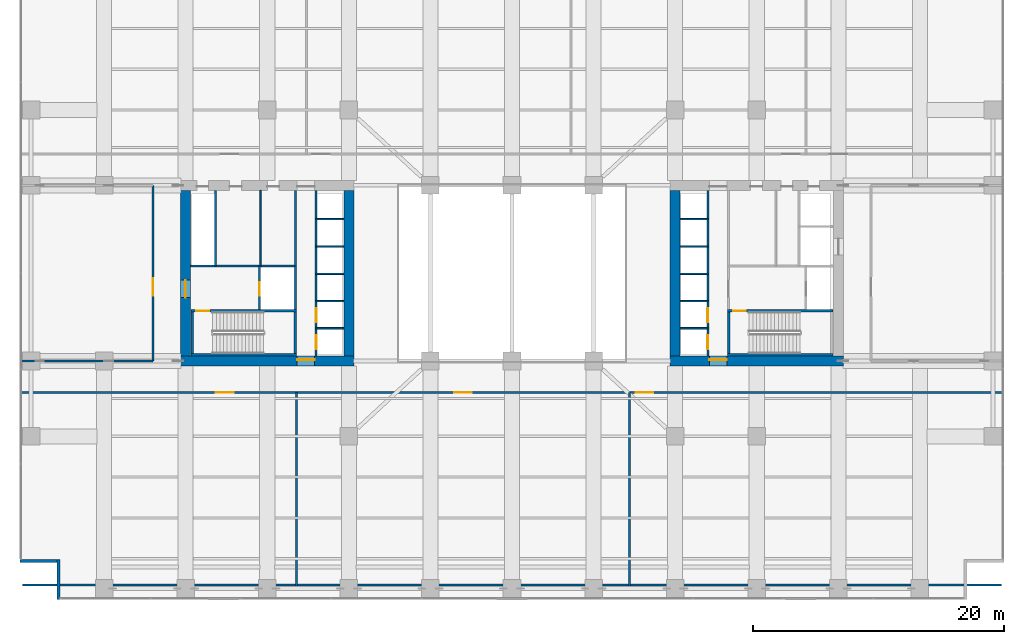
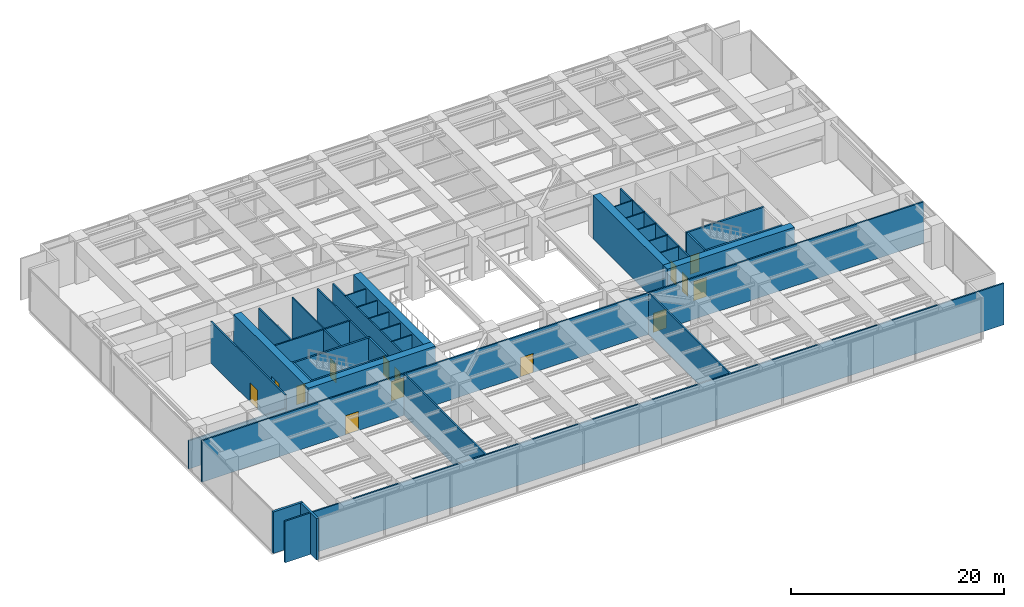
# One storey, part 25 of 31: 40 walls, 14 doors, 14 openings.
"""IFC4 building model written with IfcOpenShell, lengths in metres."""

from ifc_helpers import new_model, si_unit, direction, frame, frame_2d, origin, place, context, subcontext, project, spatial, rectangle, extrude, material, layer, layer_set, type_object, element, fill, save


model = new_model("IFC4")

# Units and contexts
model_context = context("Model", 3, precision=1e-05, world=origin(), true_north=direction((0.0, 1.0)))
body_context = subcontext(model_context, "Body", "Model", "MODEL_VIEW")
ifc_project = project(units=[si_unit("LENGTHUNIT", "METRE"), si_unit("AREAUNIT", "SQUARE_METRE"), si_unit("VOLUMEUNIT", "CUBIC_METRE"), si_unit("PLANEANGLEUNIT", "RADIAN"), si_unit("MASSUNIT", "GRAM", prefix="KILO")], contexts=[model_context])

# Site, building, storey
site_placement = place(None, origin())
site = spatial("IfcSite", under=ifc_project, at=site_placement, CompositionType="ELEMENT")
building_placement = place(site_placement, origin())
building = spatial("IfcBuilding", under=site, at=building_placement, Name="Putna Gate Headquarters", CompositionType="ELEMENT")
storey_placement = place(building_placement, frame((0.0, 0.0, 81.0)))
storey = spatial("IfcBuildingStorey", under=building, at=storey_placement, Name="L19", CompositionType="ELEMENT", Elevation=81.0)

# Wall, opening, door
ifc_material_1 = material(Name="Concrete C60/75", Category="concrete")
ifc_layer_1 = layer(ifc_material_1, 0.800048828125)
ifc_layer_set_1 = layer_set([ifc_layer_1], Name="Concrete C60/75")
wall_type_1 = type_object("IfcWallType", Name="WALL-CORE-800", PredefinedType="SHEAR", material=ifc_layer_set_1)
wall_1_placement = place(storey_placement, frame((12.60009765625, 19.0, 0.0), z_axis=(0.0, 0.0, 1.0), x_axis=(1.0, 0.0, 0.0)))
wall_1 = element("IfcWall", 1, at=wall_1_placement, inside=storey, type_object=wall_type_1, Name="L19 WC Split Core Shear Wall S", PredefinedType="SHEAR", context=body_context, shape_type="SweptSolid", body=[
    extrude(rectangle(XDim=13.7998046875, YDim=0.800048828125, at=frame_2d((6.89990234375, 0.0))), origin(), (0.0, 0.0, 1.0), 5.0),
])
opening_1_placement = place(wall_1_placement, frame((9.280029296875, 0.0, 0.0)))
opening_1 = element("IfcOpeningElement", 2, at=opening_1_placement, cuts=wall_1, Name="Opening FDD-140", PredefinedType="OPENING", context=body_context, shape_type="SweptSolid", body=[
    extrude(rectangle(XDim=1.39990234375, YDim=2.199951171875, at=frame_2d((0.699951171875, 1.10009765625))), frame((0.0, 0.409912109375, 0.0), z_axis=(0.0, -1.0, 0.0), x_axis=(1.0, 0.0, 0.0)), (0.0, 0.0, 1.0), 0.820068359375),
])
ifc_material_2 = material(Name="Double steel fire door", Category="steel")
door_type_1 = type_object("IfcDoorType", Name="DOOR-FIRE-DBL-1400", OperationType="DOUBLE_DOOR_SINGLE_SWING", PredefinedType="DOOR", material=ifc_material_2)
door_1_placement = place(opening_1_placement, origin())
door_1 = element("IfcDoor", 3, at=door_1_placement, inside=storey, type_object=door_type_1, Name="L19 West Lift Lobby South Door", OperationType="DOUBLE_DOOR_SINGLE_SWING", OverallHeight=2.199951171875, OverallWidth=1.39990234375, PredefinedType="DOOR", context=body_context, shape_type="SweptSolid", body=[
    extrude(rectangle(XDim=1.39990234375, YDim=2.199951171875, at=frame_2d((0.699951171875, 1.10009765625))), frame((0.0, 0.125, 0.0), z_axis=(0.0, -1.0, 0.0), x_axis=(1.0, 0.0, 0.0)), (0.0, 0.0, 1.0), 0.050048828125),
])
fill(opening_1, door_1)

wall_2_placement = place(storey_placement, frame((13.0, 19.39990234375, 0.0), z_axis=(0.0, 0.0, 1.0), x_axis=(0.0, 1.0, 0.0)))
wall_2 = element("IfcWall", 4, at=wall_2_placement, inside=storey, type_object=wall_type_1, Name="L19 WC Split Core Shear Wall W", PredefinedType="SHEAR", context=body_context, shape_type="SweptSolid", body=[
    extrude(rectangle(XDim=13.2001953125, YDim=0.800048828125, at=frame_2d((6.60009765625, 0.0))), origin(), (0.0, 0.0, 1.0), 5.0),
])
opening_2_placement = place(wall_2_placement, frame((4.64990234375, 0.0, 0.0)))
opening_2 = element("IfcOpeningElement", 5, at=opening_2_placement, cuts=wall_2, Name="Opening FDD-140", PredefinedType="OPENING", context=body_context, shape_type="SweptSolid", body=[
    extrude(rectangle(XDim=1.39990234375, YDim=2.199951171875, at=frame_2d((0.699951171875, 1.10009765625))), frame((0.0, 0.409912109375, 0.0), z_axis=(0.0, -1.0, 0.0), x_axis=(1.0, 0.0, 0.0)), (0.0, 0.0, 1.0), 0.820068359375),
])
door_2_placement = place(opening_2_placement, origin())
door_2 = element("IfcDoor", 6, at=door_2_placement, inside=storey, type_object=door_type_1, Name="L19 West Firefighting Lobby Door", OperationType="DOUBLE_DOOR_SINGLE_SWING", OverallHeight=2.199951171875, OverallWidth=1.39990234375, PredefinedType="DOOR", context=body_context, shape_type="SweptSolid", body=[
    extrude(rectangle(XDim=1.39990234375, YDim=2.199951171875, at=frame_2d((0.699951171875, 1.10009765625))), frame((0.0, 0.02490234375, 0.0), z_axis=(0.0, -1.0, 0.0), x_axis=(1.0, 0.0, 0.0)), (0.0, 0.0, 1.0), 0.050048828125),
])
fill(opening_2, door_2)

# Wall
wall_3_placement = place(storey_placement, frame((26.0, 19.39990234375, 0.0), z_axis=(0.0, 0.0, 1.0), x_axis=(0.0, 1.0, 0.0)))
element("IfcWall", 7, at=wall_3_placement, inside=storey, type_object=wall_type_1, Name="L19 WC Split Core Shear Wall E", PredefinedType="SHEAR", context=body_context, shape_type="SweptSolid", body=[
    extrude(rectangle(XDim=13.2001953125, YDim=0.800048828125, at=frame_2d((6.60009765625, 0.0))), origin(), (0.0, 0.0, 1.0), 5.0),
])

# Wall, opening, door
wall_4_placement = place(storey_placement, frame((51.60009765625, 19.0, 0.0), z_axis=(0.0, 0.0, 1.0), x_axis=(1.0, 0.0, 0.0)))
wall_4 = element("IfcWall", 8, at=wall_4_placement, inside=storey, type_object=wall_type_1, Name="L19 EC Split Core Shear Wall S", PredefinedType="SHEAR", context=body_context, shape_type="SweptSolid", body=[
    extrude(rectangle(XDim=13.7998046875, YDim=0.800048828125, at=frame_2d((6.89990234375, 0.0))), origin(), (0.0, 0.0, 1.0), 5.0),
])
opening_3_placement = place(wall_4_placement, frame((3.1201171875, 0.0, 0.0)))
opening_3 = element("IfcOpeningElement", 9, at=opening_3_placement, cuts=wall_4, Name="Opening FDD-140", PredefinedType="OPENING", context=body_context, shape_type="SweptSolid", body=[
    extrude(rectangle(XDim=1.39990234375, YDim=2.199951171875, at=frame_2d((0.699951171875, 1.10009765625))), frame((0.0, 0.409912109375, 0.0), z_axis=(0.0, -1.0, 0.0), x_axis=(1.0, 0.0, 0.0)), (0.0, 0.0, 1.0), 0.820068359375),
])
door_3_placement = place(opening_3_placement, origin())
door_3 = element("IfcDoor", 10, at=door_3_placement, inside=storey, type_object=door_type_1, Name="L19 East Lift Lobby South Door", OperationType="DOUBLE_DOOR_SINGLE_SWING", OverallHeight=2.199951171875, OverallWidth=1.39990234375, PredefinedType="DOOR", context=body_context, shape_type="SweptSolid", body=[
    extrude(rectangle(XDim=1.39990234375, YDim=2.199951171875, at=frame_2d((0.699951171875, 1.10009765625))), frame((0.0, 0.125, 0.0), z_axis=(0.0, -1.0, 0.0), x_axis=(1.0, 0.0, 0.0)), (0.0, 0.0, 1.0), 0.050048828125),
])
fill(opening_3, door_3)

# Walls
wall_5_placement = place(storey_placement, frame((52.0, 19.39990234375, 0.0), z_axis=(0.0, 0.0, 1.0), x_axis=(0.0, 1.0, 0.0)))
element("IfcWall", 11, at=wall_5_placement, inside=storey, type_object=wall_type_1, Name="L19 EC Split Core Shear Wall W", PredefinedType="SHEAR", context=body_context, shape_type="SweptSolid", body=[
    extrude(rectangle(XDim=13.2001953125, YDim=0.800048828125, at=frame_2d((6.60009765625, 0.0))), origin(), (0.0, 0.0, 1.0), 5.0),
])
ifc_material_3 = material(Name="Precast concrete C40/50", Category="concrete")
ifc_layer_2 = layer(ifc_material_3, 0.239990234375)
ifc_layer_set_2 = layer_set([ifc_layer_2], Name="Precast concrete C40/50")
wall_type_2 = type_object("IfcWallType", Name="WALL-EXT-TERR-240", PredefinedType="STANDARD", material=ifc_layer_set_2)
for number, where, z_axis, x_axis, name in (
    (12, (2.8798828125, 0.0, 0.0), (0.0, 0.0, 1.0), (0.0, 1.0, 0.0), "L19 Corner Notch Return Wall SW-V"),
    (13, (3.0, 3.080078125, 0.0), (0.0, 0.0, 1.0), (-1.0, 0.0, 0.0), "L19 Corner Notch Return Wall SW-H"),
):
    element("IfcWall", number, at=place(storey_placement, frame(where, z_axis=z_axis, x_axis=x_axis)), inside=storey, type_object=wall_type_2, Name=name, PredefinedType="STANDARD", context=body_context, shape_type="SweptSolid", body=[
        extrude(rectangle(XDim=3.199951171875, YDim=0.239990234375, at=frame_2d((1.60009765625, 0.0))), origin(), (0.0, 0.0, 1.0), 4.764892578125),
    ])
ifc_material_4 = material(Name="Fire-rated shaftwall gypsum board on metal stud")
ifc_layer_3 = layer(ifc_material_4, 0.1201171875)
ifc_layer_set_3 = layer_set([ifc_layer_3], Name="Fire-rated shaftwall gypsum board on metal stud")
wall_type_3 = type_object("IfcWallType", Name="WALL-PART-120-EI120", PredefinedType="PARTITIONING", material=ifc_layer_set_3)
for number, where, z_axis, x_axis, name in (
    (14, (23.39990234375, 21.610107421875, 0.0), (0.0, 0.0, 1.0), (1.0, 0.0, 0.0), "L19 Interior Wall CWINT-L19-WC-LF01-DIV"),
    (15, (23.39990234375, 23.780029296875, 0.0), (0.0, 0.0, 1.0), (1.0, 0.0, 0.0), "L19 Interior Wall CWINT-L19-WC-LF02-DIV"),
    (16, (23.39990234375, 25.949951171875, 0.0), (0.0, 0.0, 1.0), (1.0, 0.0, 0.0), "L19 Interior Wall CWINT-L19-WC-LF05-DIV"),
    (17, (23.39990234375, 28.1201171875, 0.0), (0.0, 0.0, 1.0), (1.0, 0.0, 0.0), "L19 Interior Wall CWINT-L19-WC-LF06-DIV"),
    (18, (23.39990234375, 30.31005859375, 0.0), (0.0, 0.0, 1.0), (1.0, 0.0, 0.0), "L19 Interior Wall CWINT-L19-WC-LF09-DIV"),
    (19, (52.39990234375, 21.610107421875, 0.0), (0.0, 0.0, 1.0), (1.0, 0.0, 0.0), "L19 Interior Wall CWINT-L19-EC-LF03-DIV"),
    (20, (52.39990234375, 23.780029296875, 0.0), (0.0, 0.0, 1.0), (1.0, 0.0, 0.0), "L19 Interior Wall CWINT-L19-EC-LF04-DIV"),
    (21, (52.39990234375, 25.949951171875, 0.0), (0.0, 0.0, 1.0), (1.0, 0.0, 0.0), "L19 Interior Wall CWINT-L19-EC-LF07-DIV"),
    (22, (52.39990234375, 28.1201171875, 0.0), (0.0, 0.0, 1.0), (1.0, 0.0, 0.0), "L19 Interior Wall CWINT-L19-EC-LF08-DIV"),
    (23, (52.39990234375, 30.31005859375, 0.0), (0.0, 0.0, 1.0), (1.0, 0.0, 0.0), "L19 Interior Wall CWINT-L19-EC-LF11-DIV"),
):
    element("IfcWall", number, at=place(storey_placement, frame(where, z_axis=z_axis, x_axis=x_axis)), inside=storey, type_object=wall_type_3, Name=name, PredefinedType="PARTITIONING", context=body_context, shape_type="SweptSolid", body=[
        extrude(rectangle(XDim=2.2001953125, YDim=0.1201171875, at=frame_2d((1.10009765625, 0.0))), origin(), (0.0, 0.0, 1.0), 4.764892578125),
    ])
ifc_material_5 = material(Name="Fire-rated gypsum board on metal stud")
ifc_layer_4 = layer(ifc_material_5, 0.1201171875)
ifc_layer_set_4 = layer_set([ifc_layer_4], Name="Fire-rated gypsum board on metal stud")
wall_type_4 = type_object("IfcWallType", Name="WALL-PART-120-RATED", PredefinedType="PARTITIONING", material=ifc_layer_set_4)
wall_6_placement = place(storey_placement, frame((18.969970703125, 26.56005859375, 0.0), z_axis=(0.0, 0.0, 1.0), x_axis=(0.0, 1.0, 0.0)))
element("IfcWall", 24, at=wall_6_placement, inside=storey, type_object=wall_type_4, Name="L19 Interior Wall CWINT-L19-WC-K0-DIV", PredefinedType="PARTITIONING", context=body_context, shape_type="SweptSolid", body=[
    extrude(rectangle(XDim=6.0400390625, YDim=0.1201171875, at=frame_2d((3.02001953125, 0.0))), origin(), (0.0, 0.0, 1.0), 4.764892578125),
])
ifc_material_6 = material(Name="Concrete C40/50", Category="concrete")
ifc_layer_5 = layer(ifc_material_6, 0.159912109375)
ifc_layer_set_5 = layer_set([ifc_layer_5], Name="Concrete C40/50")
wall_type_5 = type_object("IfcWallType", Name="WALL-SHAFT-160", PredefinedType="STANDARD", material=ifc_layer_set_5)
wall_7_placement = place(storey_placement, frame((21.739990234375, 23.090087890625, 0.0), z_axis=(0.0, 0.0, 1.0), x_axis=(0.0, 1.0, 0.0)))
element("IfcWall", 25, at=wall_7_placement, inside=storey, type_object=wall_type_5, Name="L19 Interior Wall CWINT-L19-WC-FFL-E", PredefinedType="STANDARD", context=body_context, shape_type="SweptSolid", body=[
    extrude(rectangle(XDim=3.469970703125, YDim=0.159912109375, at=frame_2d((1.73486328125, 0.0))), origin(), (0.0, 0.0, 1.0), 4.764892578125),
])

# Wall, opening, door
wall_8_placement = place(storey_placement, frame((18.8798828125, 23.090087890625, 0.0), z_axis=(0.0, 0.0, 1.0), x_axis=(0.0, 1.0, 0.0)))
wall_8 = element("IfcWall", 26, at=wall_8_placement, inside=storey, type_object=wall_type_5, Name="L19 Interior Wall CWINT-L19-WC-LF13-W", PredefinedType="STANDARD", context=body_context, shape_type="SweptSolid", body=[
    extrude(rectangle(XDim=3.469970703125, YDim=0.159912109375, at=frame_2d((1.73486328125, 0.0))), origin(), (0.0, 0.0, 1.0), 4.764892578125),
])
opening_4_placement = place(wall_8_placement, frame((1.10009765625, 0.0, 0.0)))
opening_4 = element("IfcOpeningElement", 27, at=opening_4_placement, cuts=wall_8, Name="Opening LD-1", PredefinedType="OPENING", context=body_context, shape_type="SweptSolid", body=[
    extrude(rectangle(XDim=1.10009765625, YDim=2.199951171875, at=frame_2d((0.550048828125, 1.10009765625))), frame((0.0, 0.08984375, 0.0), z_axis=(0.0, -1.0, 0.0), x_axis=(1.0, 0.0, 0.0)), (0.0, 0.0, 1.0), 0.179931640625),
])
ifc_material_7 = material(Name="Brushed bronze stainless lift landing door")
door_type_2 = type_object("IfcDoorType", Name="DOOR-LIFT-1100", OperationType="DOUBLE_DOOR_SLIDING", PredefinedType="DOOR", material=ifc_material_7)
door_4_placement = place(opening_4_placement, origin())
door_4 = element("IfcDoor", 28, at=door_4_placement, inside=storey, type_object=door_type_2, Name="L19 Lift Landing Door LD-13", OperationType="DOUBLE_DOOR_SLIDING", OverallHeight=2.199951171875, OverallWidth=1.10009765625, PredefinedType="DOOR", context=body_context, shape_type="SweptSolid", body=[
    extrude(rectangle(XDim=1.10009765625, YDim=2.199951171875, at=frame_2d((0.550048828125, 1.10009765625))), frame((0.0, 0.02490234375, 0.0), z_axis=(0.0, -1.0, 0.0), x_axis=(1.0, 0.0, 0.0)), (0.0, 0.0, 1.0), 0.050048828125),
])
fill(opening_4, door_4)

# Walls
wall_9_placement = place(storey_placement, frame((13.39990234375, 26.56005859375, 0.0), z_axis=(0.0, 0.0, 1.0), x_axis=(1.0, 0.0, 0.0)))
element("IfcWall", 29, at=wall_9_placement, inside=storey, type_object=wall_type_5, Name="L19 Interior Wall CWINT-L19-WC-FFL-N", PredefinedType="STANDARD", context=body_context, shape_type="SweptSolid", body=[
    extrude(rectangle(XDim=8.340087890625, YDim=0.159912109375, at=frame_2d((4.169921875, 0.0))), origin(), (0.0, 0.0, 1.0), 4.764892578125),
])
for number, where, z_axis, x_axis, name in (
    (30, (15.3798828125, 26.56005859375, 0.0), (0.0, 0.0, 1.0), (0.0, 1.0, 0.0), "L19 Interior Wall CWINT-L19-WC-RISER-E"),
    (31, (21.739990234375, 26.56005859375, 0.0), (0.0, 0.0, 1.0), (0.0, 1.0, 0.0), "L19 Interior Wall CWINT-L19-WC-LOB-W"),
):
    element("IfcWall", number, at=place(storey_placement, frame(where, z_axis=z_axis, x_axis=x_axis)), inside=storey, type_object=wall_type_5, Name=name, PredefinedType="STANDARD", context=body_context, shape_type="SweptSolid", body=[
        extrude(rectangle(XDim=6.0400390625, YDim=0.159912109375, at=frame_2d((3.02001953125, 0.0))), origin(), (0.0, 0.0, 1.0), 4.764892578125),
    ])

# Wall, openings, doors
wall_10_placement = place(storey_placement, frame((23.39990234375, 19.39990234375, 0.0), z_axis=(0.0, 0.0, 1.0), x_axis=(0.0, 1.0, 0.0)))
wall_10 = element("IfcWall", 32, at=wall_10_placement, inside=storey, type_object=wall_type_5, Name="L19 Interior Wall CWINT-L19-WC-PL-WALL", PredefinedType="STANDARD", context=body_context, shape_type="SweptSolid", body=[
    extrude(rectangle(XDim=13.2001953125, YDim=0.159912109375, at=frame_2d((6.60009765625, 0.0))), origin(), (0.0, 0.0, 1.0), 4.764892578125),
])
opening_5_placement = place(wall_10_placement, frame((0.550048828125, 0.0, 0.0)))
opening_5 = element("IfcOpeningElement", 33, at=opening_5_placement, cuts=wall_10, Name="Opening LD-1", PredefinedType="OPENING", context=body_context, shape_type="SweptSolid", body=[
    extrude(rectangle(XDim=1.10009765625, YDim=2.199951171875, at=frame_2d((0.550048828125, 1.10009765625))), frame((0.0, 0.08984375, 0.0), z_axis=(0.0, -1.0, 0.0), x_axis=(1.0, 0.0, 0.0)), (0.0, 0.0, 1.0), 0.179931640625),
])
opening_6_placement = place(wall_10_placement, frame((2.699951171875, 0.0, 0.0)))
opening_6 = element("IfcOpeningElement", 34, at=opening_6_placement, cuts=wall_10, Name="Opening LD-1", PredefinedType="OPENING", context=body_context, shape_type="SweptSolid", body=[
    extrude(rectangle(XDim=1.10009765625, YDim=2.199951171875, at=frame_2d((0.550048828125, 1.10009765625))), frame((0.0, 0.08984375, 0.0), z_axis=(0.0, -1.0, 0.0), x_axis=(1.0, 0.0, 0.0)), (0.0, 0.0, 1.0), 0.179931640625),
])
door_5_placement = place(opening_5_placement, origin())
door_5 = element("IfcDoor", 35, at=door_5_placement, inside=storey, type_object=door_type_2, Name="L19 Lift Landing Door LD-01", OperationType="DOUBLE_DOOR_SLIDING", OverallHeight=2.199951171875, OverallWidth=1.10009765625, PredefinedType="DOOR", context=body_context, shape_type="SweptSolid", body=[
    extrude(rectangle(XDim=1.10009765625, YDim=2.199951171875, at=frame_2d((0.550048828125, 1.10009765625))), frame((0.0, 0.02490234375, 0.0), z_axis=(0.0, -1.0, 0.0), x_axis=(1.0, 0.0, 0.0)), (0.0, 0.0, 1.0), 0.050048828125),
])
fill(opening_5, door_5)
door_6_placement = place(opening_6_placement, origin())
door_6 = element("IfcDoor", 36, at=door_6_placement, inside=storey, type_object=door_type_2, Name="L19 Lift Landing Door LD-02", OperationType="DOUBLE_DOOR_SLIDING", OverallHeight=2.199951171875, OverallWidth=1.10009765625, PredefinedType="DOOR", context=body_context, shape_type="SweptSolid", body=[
    extrude(rectangle(XDim=1.10009765625, YDim=2.199951171875, at=frame_2d((0.550048828125, 1.10009765625))), frame((0.0, 0.02490234375, 0.0), z_axis=(0.0, -1.0, 0.0), x_axis=(1.0, 0.0, 0.0)), (0.0, 0.0, 1.0), 0.050048828125),
])
fill(opening_6, door_6)

wall_11_placement = place(storey_placement, frame((54.60009765625, 19.39990234375, 0.0), z_axis=(0.0, 0.0, 1.0), x_axis=(0.0, 1.0, 0.0)))
wall_11 = element("IfcWall", 37, at=wall_11_placement, inside=storey, type_object=wall_type_5, Name="L19 Interior Wall CWINT-L19-EC-PL-WALL", PredefinedType="STANDARD", context=body_context, shape_type="SweptSolid", body=[
    extrude(rectangle(XDim=13.2001953125, YDim=0.159912109375, at=frame_2d((6.60009765625, 0.0))), origin(), (0.0, 0.0, 1.0), 4.764892578125),
])
opening_7_placement = place(wall_11_placement, frame((0.550048828125, 0.0, 0.0)))
opening_7 = element("IfcOpeningElement", 38, at=opening_7_placement, cuts=wall_11, Name="Opening LD-1", PredefinedType="OPENING", context=body_context, shape_type="SweptSolid", body=[
    extrude(rectangle(XDim=1.10009765625, YDim=2.199951171875, at=frame_2d((0.550048828125, 1.10009765625))), frame((0.0, 0.08984375, 0.0), z_axis=(0.0, -1.0, 0.0), x_axis=(1.0, 0.0, 0.0)), (0.0, 0.0, 1.0), 0.179931640625),
])
opening_8_placement = place(wall_11_placement, frame((2.699951171875, 0.0, 0.0)))
opening_8 = element("IfcOpeningElement", 39, at=opening_8_placement, cuts=wall_11, Name="Opening LD-1", PredefinedType="OPENING", context=body_context, shape_type="SweptSolid", body=[
    extrude(rectangle(XDim=1.10009765625, YDim=2.199951171875, at=frame_2d((0.550048828125, 1.10009765625))), frame((0.0, 0.08984375, 0.0), z_axis=(0.0, -1.0, 0.0), x_axis=(1.0, 0.0, 0.0)), (0.0, 0.0, 1.0), 0.179931640625),
])
door_7_placement = place(opening_7_placement, origin())
door_7 = element("IfcDoor", 40, at=door_7_placement, inside=storey, type_object=door_type_2, Name="L19 Lift Landing Door LD-03", OperationType="DOUBLE_DOOR_SLIDING", OverallHeight=2.199951171875, OverallWidth=1.10009765625, PredefinedType="DOOR", context=body_context, shape_type="SweptSolid", body=[
    extrude(rectangle(XDim=1.10009765625, YDim=2.199951171875, at=frame_2d((0.550048828125, 1.10009765625))), frame((0.0, 0.02490234375, 0.0), z_axis=(0.0, -1.0, 0.0), x_axis=(1.0, 0.0, 0.0)), (0.0, 0.0, 1.0), 0.050048828125),
])
fill(opening_7, door_7)
door_8_placement = place(opening_8_placement, origin())
door_8 = element("IfcDoor", 41, at=door_8_placement, inside=storey, type_object=door_type_2, Name="L19 Lift Landing Door LD-04", OperationType="DOUBLE_DOOR_SLIDING", OverallHeight=2.199951171875, OverallWidth=1.10009765625, PredefinedType="DOOR", context=body_context, shape_type="SweptSolid", body=[
    extrude(rectangle(XDim=1.10009765625, YDim=2.199951171875, at=frame_2d((0.550048828125, 1.10009765625))), frame((0.0, 0.02490234375, 0.0), z_axis=(0.0, -1.0, 0.0), x_axis=(1.0, 0.0, 0.0)), (0.0, 0.0, 1.0), 0.050048828125),
])
fill(opening_8, door_8)

# Wall
wall_12_placement = place(storey_placement, frame((-0.02001953125, 1.169921875, 0.0), z_axis=(0.0, 0.0, 1.0), x_axis=(1.0, 0.0, 0.0)))
element("IfcWall", 42, at=wall_12_placement, inside=storey, type_object=wall_type_5, Name="L19 Interior Wall PART-L19-BELT-S", PredefinedType="STANDARD", context=body_context, shape_type="SweptSolid", body=[
    extrude(rectangle(XDim=78.0400390625, YDim=0.159912109375, at=frame_2d((39.02001953125, 0.0))), origin(), (0.0, 0.0, 1.0), 4.764892578125),
])

# Wall, opening, door
wall_13_placement = place(storey_placement, frame((10.39990234375, 19.0, 0.0), z_axis=(0.0, 0.0, 1.0), x_axis=(0.0, 1.0, 0.0)))
wall_13 = element("IfcWall", 43, at=wall_13_placement, inside=storey, type_object=wall_type_5, Name="L19 Interior Wall PART-L19-REFW", PredefinedType="STANDARD", context=body_context, shape_type="SweptSolid", body=[
    extrude(rectangle(XDim=14.0, YDim=0.159912109375, at=frame_2d((7.0, 0.0))), origin(), (0.0, 0.0, 1.0), 4.764892578125),
])
opening_9_placement = place(wall_13_placement, frame((5.199951171875, 0.0, 0.0)))
opening_9 = element("IfcOpeningElement", 44, at=opening_9_placement, cuts=wall_13, Name="Opening FDD-140", PredefinedType="OPENING", context=body_context, shape_type="SweptSolid", body=[
    extrude(rectangle(XDim=1.39990234375, YDim=2.199951171875, at=frame_2d((0.699951171875, 1.10009765625))), frame((0.0, 0.08984375, 0.0), z_axis=(0.0, -1.0, 0.0), x_axis=(1.0, 0.0, 0.0)), (0.0, 0.0, 1.0), 0.179931640625),
])
door_9_placement = place(opening_9_placement, origin())
door_9 = element("IfcDoor", 45, at=door_9_placement, inside=storey, type_object=door_type_1, Name="L19 West Refuge Area Door", OperationType="DOUBLE_DOOR_SINGLE_SWING", OverallHeight=2.199951171875, OverallWidth=1.39990234375, PredefinedType="DOOR", context=body_context, shape_type="SweptSolid", body=[
    extrude(rectangle(XDim=1.39990234375, YDim=2.199951171875, at=frame_2d((0.699951171875, 1.10009765625))), frame((0.0, 0.02490234375, 0.0), z_axis=(0.0, -1.0, 0.0), x_axis=(1.0, 0.0, 0.0)), (0.0, 0.0, 1.0), 0.050048828125),
])
fill(opening_9, door_9)

# Walls
wall_14_placement = place(storey_placement, frame((-0.179931640625, 19.0, 0.0), z_axis=(0.0, 0.0, 1.0), x_axis=(1.0, 0.0, 0.0)))
element("IfcWall", 46, at=wall_14_placement, inside=storey, type_object=wall_type_5, Name="L19 Interior Wall PART-L19-REFW-S", PredefinedType="STANDARD", context=body_context, shape_type="SweptSolid", body=[
    extrude(rectangle(XDim=10.579833984375, YDim=0.159912109375, at=frame_2d((5.2900390625, 0.0))), origin(), (0.0, 0.0, 1.0), 3.2451171875),
])
wall_15_placement = place(storey_placement, frame((21.831298828125, 1.090087890625, 0.0), z_axis=(0.0, 0.0, 1.0), x_axis=(0.0, 1.0, 0.0)))
element("IfcWall", 47, at=wall_15_placement, inside=storey, type_object=wall_type_5, Name="L19 Interior Wall PART-L19-PS-DIV1", PredefinedType="STANDARD", context=body_context, shape_type="SweptSolid", body=[
    extrude(rectangle(XDim=15.409912109375, YDim=0.159912109375, at=frame_2d((7.705078125, 0.0))), origin(), (0.0, 0.0, 1.0), 4.764892578125),
])

# Wall, opening, door
wall_16_placement = place(storey_placement, frame((-0.179931640625, 16.5, 0.0), z_axis=(0.0, 0.0, 1.0), x_axis=(1.0, 0.0, 0.0)))
wall_16 = element("IfcWall", 48, at=wall_16_placement, inside=storey, type_object=wall_type_5, Name="L19 Interior Wall PART-L19-PS-CW1", PredefinedType="STANDARD", context=body_context, shape_type="SweptSolid", body=[
    extrude(rectangle(XDim=22.01123046875, YDim=0.159912109375, at=frame_2d((11.005615234375, 0.0))), origin(), (0.0, 0.0, 1.0), 4.764892578125),
])
opening_10_placement = place(wall_16_placement, frame((15.595703125, 0.0, 0.0)))
opening_10 = element("IfcOpeningElement", 49, at=opening_10_placement, cuts=wall_16, Name="Opening FDD-140", PredefinedType="OPENING", context=body_context, shape_type="SweptSolid", body=[
    extrude(rectangle(XDim=1.39990234375, YDim=2.199951171875, at=frame_2d((0.699951171875, 1.10009765625))), frame((0.0, 0.08984375, 0.0), z_axis=(0.0, -1.0, 0.0), x_axis=(1.0, 0.0, 0.0)), (0.0, 0.0, 1.0), 0.179931640625),
])
door_10_placement = place(opening_10_placement, origin())
door_10 = element("IfcDoor", 50, at=door_10_placement, inside=storey, type_object=door_type_1, Name="L19 Domestic and Fire Water Booster Pump Room Door", OperationType="DOUBLE_DOOR_SINGLE_SWING", OverallHeight=2.199951171875, OverallWidth=1.39990234375, PredefinedType="DOOR", context=body_context, shape_type="SweptSolid", body=[
    extrude(rectangle(XDim=1.39990234375, YDim=2.199951171875, at=frame_2d((0.699951171875, 1.10009765625))), frame((0.0, 0.02490234375, 0.0), z_axis=(0.0, -1.0, 0.0), x_axis=(1.0, 0.0, 0.0)), (0.0, 0.0, 1.0), 0.050048828125),
])
fill(opening_10, door_10)

# Wall
wall_17_placement = place(storey_placement, frame((48.36474609375, 1.090087890625, 0.0), z_axis=(0.0, 0.0, 1.0), x_axis=(0.0, 1.0, 0.0)))
element("IfcWall", 51, at=wall_17_placement, inside=storey, type_object=wall_type_5, Name="L19 Interior Wall PART-L19-PS-DIV2", PredefinedType="STANDARD", context=body_context, shape_type="SweptSolid", body=[
    extrude(rectangle(XDim=15.409912109375, YDim=0.159912109375, at=frame_2d((7.705078125, 0.0))), origin(), (0.0, 0.0, 1.0), 4.764892578125),
])

# Wall, opening, door
wall_18_placement = place(storey_placement, frame((21.831298828125, 16.5, 0.0), z_axis=(0.0, 0.0, 1.0), x_axis=(1.0, 0.0, 0.0)))
wall_18 = element("IfcWall", 52, at=wall_18_placement, inside=storey, type_object=wall_type_5, Name="L19 Interior Wall PART-L19-PS-CW2", PredefinedType="STANDARD", context=body_context, shape_type="SweptSolid", body=[
    extrude(rectangle(XDim=26.533447265625, YDim=0.159912109375, at=frame_2d((13.2666015625, 0.0))), origin(), (0.0, 0.0, 1.0), 4.764892578125),
])
opening_11_placement = place(wall_18_placement, frame((12.56689453125, 0.0, 0.0)))
opening_11 = element("IfcOpeningElement", 53, at=opening_11_placement, cuts=wall_18, Name="Opening FDD-140", PredefinedType="OPENING", context=body_context, shape_type="SweptSolid", body=[
    extrude(rectangle(XDim=1.39990234375, YDim=2.199951171875, at=frame_2d((0.699951171875, 1.10009765625))), frame((0.0, 0.08984375, 0.0), z_axis=(0.0, -1.0, 0.0), x_axis=(1.0, 0.0, 0.0)), (0.0, 0.0, 1.0), 0.179931640625),
])
door_11_placement = place(opening_11_placement, origin())
door_11 = element("IfcDoor", 54, at=door_11_placement, inside=storey, type_object=door_type_1, Name="L19 Thermal Energy Storage and Calorifier Plant Door", OperationType="DOUBLE_DOOR_SINGLE_SWING", OverallHeight=2.199951171875, OverallWidth=1.39990234375, PredefinedType="DOOR", context=body_context, shape_type="SweptSolid", body=[
    extrude(rectangle(XDim=1.39990234375, YDim=2.199951171875, at=frame_2d((0.699951171875, 1.10009765625))), frame((0.0, 0.02490234375, 0.0), z_axis=(0.0, -1.0, 0.0), x_axis=(1.0, 0.0, 0.0)), (0.0, 0.0, 1.0), 0.050048828125),
])
fill(opening_11, door_11)

wall_19_placement = place(storey_placement, frame((48.36474609375, 16.5, 0.0), z_axis=(0.0, 0.0, 1.0), x_axis=(1.0, 0.0, 0.0)))
wall_19 = element("IfcWall", 55, at=wall_19_placement, inside=storey, type_object=wall_type_5, Name="L19 Interior Wall PART-L19-PS-CW3", PredefinedType="STANDARD", context=body_context, shape_type="SweptSolid", body=[
    extrude(rectangle(XDim=29.815185546875, YDim=0.159912109375, at=frame_2d((14.90771484375, 0.0))), origin(), (0.0, 0.0, 1.0), 4.764892578125),
])
opening_12_placement = place(wall_19_placement, frame((0.47998046875, 0.0, 0.0)))
opening_12 = element("IfcOpeningElement", 56, at=opening_12_placement, cuts=wall_19, Name="Opening FDD-140", PredefinedType="OPENING", context=body_context, shape_type="SweptSolid", body=[
    extrude(rectangle(XDim=1.39990234375, YDim=2.199951171875, at=frame_2d((0.699951171875, 1.10009765625))), frame((0.0, 0.08984375, 0.0), z_axis=(0.0, -1.0, 0.0), x_axis=(1.0, 0.0, 0.0)), (0.0, 0.0, 1.0), 0.179931640625),
])
door_12_placement = place(opening_12_placement, origin())
door_12 = element("IfcDoor", 57, at=door_12_placement, inside=storey, type_object=door_type_1, Name="L19 Emergency Power and UPS Battery Plant Room Door", OperationType="DOUBLE_DOOR_SINGLE_SWING", OverallHeight=2.199951171875, OverallWidth=1.39990234375, PredefinedType="DOOR", context=body_context, shape_type="SweptSolid", body=[
    extrude(rectangle(XDim=1.39990234375, YDim=2.199951171875, at=frame_2d((0.699951171875, 1.10009765625))), frame((0.0, 0.02490234375, 0.0), z_axis=(0.0, -1.0, 0.0), x_axis=(1.0, 0.0, 0.0)), (0.0, 0.0, 1.0), 0.050048828125),
])
fill(opening_12, door_12)

# Wall
ifc_layer_6 = layer(ifc_material_6, 0.199951171875)
ifc_layer_set_6 = layer_set([ifc_layer_6], Name="Concrete C40/50")
wall_type_6 = type_object("IfcWallType", Name="WALL-SHAFT-RC200", PredefinedType="SHEAR", material=ifc_layer_set_6)
wall_20_placement = place(storey_placement, frame((13.409912109375, 19.510009765625, 0.0), z_axis=(0.0, 0.0, 1.0), x_axis=(1.0, 0.0, 0.0)))
element("IfcWall", 58, at=wall_20_placement, inside=storey, type_object=wall_type_6, Name="L19 Stair ST1 Structural Shaft Wall S", PredefinedType="SHEAR", context=body_context, shape_type="SweptSolid", body=[
    extrude(rectangle(XDim=8.43017578125, YDim=0.199951171875, at=frame_2d((4.215087890625, 0.0))), origin(), (0.0, 0.0, 1.0), 5.0),
])

# Wall, opening, door
wall_21_placement = place(storey_placement, frame((13.409912109375, 22.989990234375, 0.0), z_axis=(0.0, 0.0, 1.0), x_axis=(1.0, 0.0, 0.0)))
wall_21 = element("IfcWall", 59, at=wall_21_placement, inside=storey, type_object=wall_type_6, Name="L19 Stair ST1 Structural Shaft Wall N", PredefinedType="SHEAR", context=body_context, shape_type="SweptSolid", body=[
    extrude(rectangle(XDim=8.43017578125, YDim=0.199951171875, at=frame_2d((4.215087890625, 0.0))), origin(), (0.0, 0.0, 1.0), 5.0),
])
opening_13_placement = place(wall_21_placement, frame((0.449951171875, 0.0, 0.0)))
opening_13 = element("IfcOpeningElement", 60, at=opening_13_placement, cuts=wall_21, Name="Opening FD-100", PredefinedType="OPENING", context=body_context, shape_type="SweptSolid", body=[
    extrude(rectangle(XDim=1.0, YDim=2.14990234375, at=frame_2d((0.5, 1.074951171875))), frame((0.0, 0.10986328125, 0.0), z_axis=(0.0, -1.0, 0.0), x_axis=(1.0, 0.0, 0.0)), (0.0, 0.0, 1.0), 0.219970703125),
])
ifc_material_8 = material(Name="Powder-coated steel fire door", Category="steel")
door_type_3 = type_object("IfcDoorType", Name="DOOR-FIRE-1000", OperationType="NOTDEFINED", PredefinedType="DOOR", material=ifc_material_8)
door_13_placement = place(opening_13_placement, origin())
door_13 = element("IfcDoor", 61, at=door_13_placement, inside=storey, type_object=door_type_3, Name="L19 Stair ST1 Fire Door", OperationType="SINGLE_SWING_LEFT", OverallHeight=2.14990234375, OverallWidth=1.0, PredefinedType="DOOR", context=body_context, shape_type="SweptSolid", body=[
    extrude(rectangle(XDim=1.0, YDim=2.14990234375, at=frame_2d((0.5, 1.074951171875))), frame((0.0, 0.02490234375, 0.0), z_axis=(0.0, -1.0, 0.0), x_axis=(1.0, 0.0, 0.0)), (0.0, 0.0, 1.0), 0.050048828125),
])
fill(opening_13, door_13)

# Walls
for number, where, z_axis, x_axis, name in (
    (62, (13.510009765625, 19.610107421875, 0.0), (0.0, 0.0, 1.0), (0.0, 1.0, 0.0), "L19 Stair ST1 Structural Shaft Wall W"),
    (63, (21.739990234375, 19.610107421875, 0.0), (0.0, 0.0, 1.0), (0.0, 1.0, 0.0), "L19 Stair ST1 Structural Shaft Wall E"),
):
    element("IfcWall", number, at=place(storey_placement, frame(where, z_axis=z_axis, x_axis=x_axis)), inside=storey, type_object=wall_type_6, Name=name, PredefinedType="SHEAR", context=body_context, shape_type="SweptSolid", body=[
        extrude(rectangle(XDim=3.27978515625, YDim=0.199951171875, at=frame_2d((1.639892578125, 0.0))), origin(), (0.0, 0.0, 1.0), 5.0),
    ])
wall_22_placement = place(storey_placement, frame((56.159912109375, 19.510009765625, 0.0), z_axis=(0.0, 0.0, 1.0), x_axis=(1.0, 0.0, 0.0)))
element("IfcWall", 64, at=wall_22_placement, inside=storey, type_object=wall_type_6, Name="L19 Stair ST2 Structural Shaft Wall S", PredefinedType="SHEAR", context=body_context, shape_type="SweptSolid", body=[
    extrude(rectangle(XDim=8.43017578125, YDim=0.199951171875, at=frame_2d((4.215087890625, 0.0))), origin(), (0.0, 0.0, 1.0), 5.0),
])

# Wall, opening, door
wall_23_placement = place(storey_placement, frame((56.159912109375, 22.989990234375, 0.0), z_axis=(0.0, 0.0, 1.0), x_axis=(1.0, 0.0, 0.0)))
wall_23 = element("IfcWall", 65, at=wall_23_placement, inside=storey, type_object=wall_type_6, Name="L19 Stair ST2 Structural Shaft Wall N", PredefinedType="SHEAR", context=body_context, shape_type="SweptSolid", body=[
    extrude(rectangle(XDim=8.43017578125, YDim=0.199951171875, at=frame_2d((4.215087890625, 0.0))), origin(), (0.0, 0.0, 1.0), 5.0),
])
opening_14_placement = place(wall_23_placement, frame((0.449951171875, 0.0, 0.0)))
opening_14 = element("IfcOpeningElement", 66, at=opening_14_placement, cuts=wall_23, Name="Opening FD-100", PredefinedType="OPENING", context=body_context, shape_type="SweptSolid", body=[
    extrude(rectangle(XDim=1.0, YDim=2.14990234375, at=frame_2d((0.5, 1.074951171875))), frame((0.0, 0.10986328125, 0.0), z_axis=(0.0, -1.0, 0.0), x_axis=(1.0, 0.0, 0.0)), (0.0, 0.0, 1.0), 0.219970703125),
])
door_14_placement = place(opening_14_placement, origin())
door_14 = element("IfcDoor", 67, at=door_14_placement, inside=storey, type_object=door_type_3, Name="L19 Stair ST2 Fire Door", OperationType="SINGLE_SWING_RIGHT", OverallHeight=2.14990234375, OverallWidth=1.0, PredefinedType="DOOR", context=body_context, shape_type="SweptSolid", body=[
    extrude(rectangle(XDim=1.0, YDim=2.14990234375, at=frame_2d((0.5, 1.074951171875))), frame((0.0, 0.02490234375, 0.0), z_axis=(0.0, -1.0, 0.0), x_axis=(1.0, 0.0, 0.0)), (0.0, 0.0, 1.0), 0.050048828125),
])
fill(opening_14, door_14)

# Wall
wall_24_placement = place(storey_placement, frame((56.260009765625, 19.610107421875, 0.0), z_axis=(0.0, 0.0, 1.0), x_axis=(0.0, 1.0, 0.0)))
element("IfcWall", 68, at=wall_24_placement, inside=storey, type_object=wall_type_6, Name="L19 Stair ST2 Structural Shaft Wall W", PredefinedType="SHEAR", context=body_context, shape_type="SweptSolid", body=[
    extrude(rectangle(XDim=3.27978515625, YDim=0.199951171875, at=frame_2d((1.639892578125, 0.0))), origin(), (0.0, 0.0, 1.0), 5.0),
])

save(model, "model.ifc")
